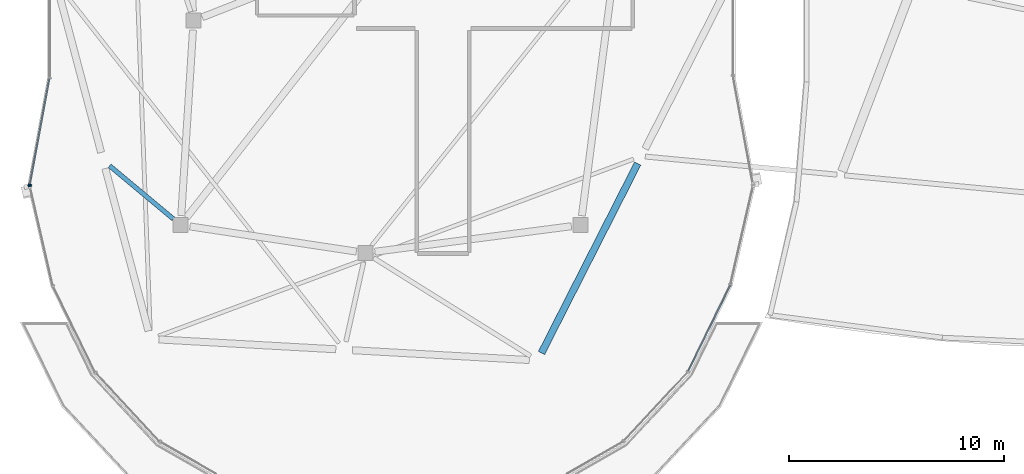
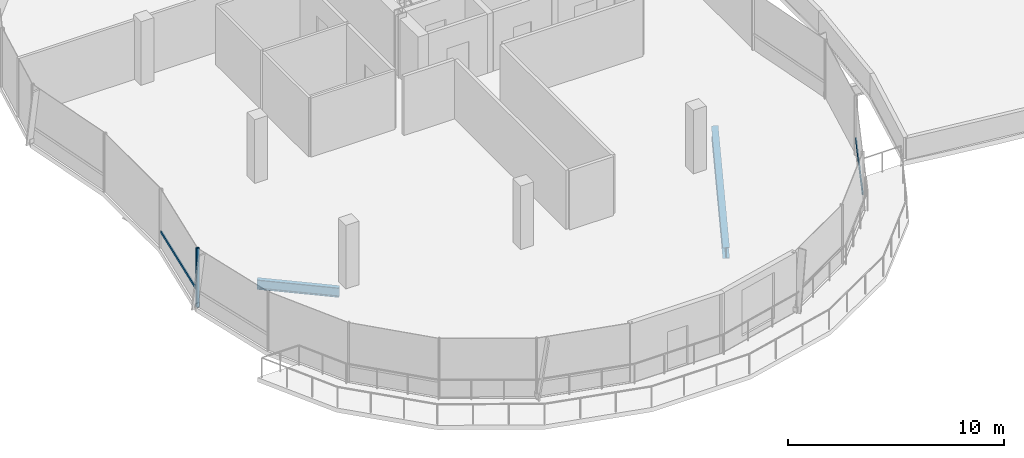
# One storey, part 3 of 31: 4 members, 2 beams, 3 elements without a shape of their own.
"""IFC4 building model written with IfcOpenShell, lengths in metres."""

from ifc_helpers import new_model, si_unit, direction, frame, origin, origin_2d, place, context, subcontext, project, spatial, rectangle, i_section, extrude, material, material_profile, profile_set, type_object, element, aggregate, save


model = new_model("IFC4")

# Units and contexts
model_context = context("Model", 3, precision=1e-05, world=origin(), true_north=direction((0.0, 1.0)))
body_context = subcontext(model_context, "Body", "Model", "MODEL_VIEW")
ifc_project = project(units=[si_unit("LENGTHUNIT", "METRE"), si_unit("AREAUNIT", "SQUARE_METRE"), si_unit("VOLUMEUNIT", "CUBIC_METRE"), si_unit("PLANEANGLEUNIT", "RADIAN"), si_unit("MASSUNIT", "GRAM", prefix="KILO"), si_unit("THERMODYNAMICTEMPERATUREUNIT", "KELVIN"), si_unit("POWERUNIT", "WATT")], contexts=[model_context])

# Site, building, storey
site_placement = place(None, origin())
site = spatial("IfcSite", under=ifc_project, at=site_placement, CompositionType="ELEMENT")
building_placement = place(site_placement, origin())
building = spatial("IfcBuilding", under=site, at=building_placement, Name="Cundina Bronze Exchange", CompositionType="ELEMENT")
storey_placement = place(building_placement, frame((0.0, 0.0, 275.60009765625)))
storey = spatial("IfcBuildingStorey", under=building, at=storey_placement, Name="L73", CompositionType="ELEMENT", Elevation=275.60009765625)

# Beams
ifc_material_1 = material(Name="Steel ASTM A992 Grade 50", Category="steel")
ifc_material_profile_1 = material_profile(ifc_material_1, i_section(OverallWidth=0.2119140625, OverallDepth=0.5439453125, WebThickness=0.01318359375, FlangeThickness=0.021240234375, FilletRadius=0.013916015625, at=origin_2d()), Name="W21X83", Category="steel")
ifc_profile_set_1 = profile_set([ifc_material_profile_1], Name="Steel ASTM A992 Grade 50")
beam_type_1 = type_object("IfcBeamType", Name="BM-FLR-W21A", PredefinedType="BEAM", material=ifc_profile_set_1)
beam_1_placement = place(storey_placement, frame((-42.136474609375, -9.219482421875, -0.531982421875), z_axis=(-0.768210910963, 0.640196841821, 0.0), x_axis=(-0.640196841821, -0.768210910963, 0.0)))
element("IfcBeam", 1, at=beam_1_placement, inside=storey, type_object=beam_type_1, Name="L73 Leg W Radial Floor Beam 09", PredefinedType="BEAM", context=body_context, shape_type="SweptSolid", body=[
    extrude(i_section(OverallWidth=0.2119140625, OverallDepth=0.5439453125, WebThickness=0.01318359375, FlangeThickness=0.021240234375, FilletRadius=0.013916015625, at=origin_2d()), origin(), (0.0, 0.0, 1.0), 3.860107421875),
])
ifc_material_profile_2 = material_profile(ifc_material_1, i_section(OverallWidth=0.324951171875, OverallDepth=0.615966796875, WebThickness=0.013916015625, FlangeThickness=0.021484375, FilletRadius=0.01611328125, at=origin_2d()), Name="W24X117", Category="steel")
ifc_profile_set_2 = profile_set([ifc_material_profile_2], Name="Steel ASTM A992 Grade 50")
beam_type_2 = type_object("IfcBeamType", Name="BM-RING-W24", PredefinedType="USERDEFINED", material=ifc_profile_set_2)
beam_2_placement = place(storey_placement, frame((-25.0244140625, -15.4541015625, -0.568115234375), z_axis=(0.452839263805, 0.891592171991, 0.0), x_axis=(-0.891592171991, 0.452839263805, 0.0)))
element("IfcBeam", 2, at=beam_2_placement, inside=storey, type_object=beam_type_2, Name="L73 W Perimeter Ring Girder 12", ObjectType="GIRDER", PredefinedType="USERDEFINED", context=body_context, shape_type="SweptSolid", body=[
    extrude(i_section(OverallWidth=0.324951171875, OverallDepth=0.615966796875, WebThickness=0.013916015625, FlangeThickness=0.021484375, FilletRadius=0.01611328125, at=origin_2d()), origin(), (0.0, 0.0, 1.0), 9.879150390625),
])

# Curtain wall, member
ifc_material_2 = material(Name="Anodised Bronze Aluminium 6063-T6", Category="aluminium")
curtain_wall_type = type_object("IfcCurtainWallType", Name="CWS-CRN-TMD", PredefinedType="NOTDEFINED", material=ifc_material_2)
curtain_wall_1_placement = place(storey_placement, origin())
curtain_wall_1 = element("IfcCurtainWall", 3, at=curtain_wall_1_placement, inside=storey, type_object=curtain_wall_type, Name="L73 CW-07 Curtain Wall Run CWR-L73-W2", PredefinedType="NOTDEFINED")
ifc_material_profile_3 = material_profile(ifc_material_2, rectangle(XDim=0.06494140625, YDim=0.159912109375, at=origin_2d()), Name="AL65X160", Category="aluminium")
ifc_profile_set_3 = profile_set([ifc_material_profile_3], Name="Anodised Bronze Aluminium 6063-T6")
member_type_1 = type_object("IfcMemberType", Name="CWM-MUL-160", PredefinedType="MULLION", material=ifc_profile_set_3)
member_1_placement = place(storey_placement, frame((-48.8154296875, -7.635498046875, 0.0), z_axis=(0.0, 0.0, 1.0), x_axis=(-0.181549039717, -0.983381892338, 0.0)))
member_1 = element("IfcMember", 4, at=member_1_placement, type_object=member_type_1, Name="CW-07 End Mullion", PredefinedType="MULLION", context=body_context, shape_type="SweptSolid", body=[
    extrude(rectangle(XDim=0.06494140625, YDim=0.159912109375, at=origin_2d()), origin(), (0.0, 0.0, 1.0), 3.33984375),
])

curtain_wall_2_placement = place(storey_placement, origin())
curtain_wall_2 = element("IfcCurtainWall", 5, at=curtain_wall_2_placement, inside=storey, type_object=curtain_wall_type, Name="L73 CW-07 Curtain Wall Run CWR-L73-W3", PredefinedType="NOTDEFINED")
member_2_placement = place(storey_placement, frame((-48.814208984375, -7.683837890625, 0.0), z_axis=(0.0, 0.0, 1.0), x_axis=(0.223930573241, -0.974605098677, 0.0)))
member_2 = element("IfcMember", 6, at=member_2_placement, type_object=member_type_1, Name="CW-07 Mullion 1", PredefinedType="MULLION", context=body_context, shape_type="SweptSolid", body=[
    extrude(rectangle(XDim=0.06494140625, YDim=0.159912109375, at=origin_2d()), origin(), (0.0, 0.0, 1.0), 3.33984375),
])
aggregate(curtain_wall_2, [member_2])

# Member
ifc_material_profile_4 = material_profile(ifc_material_2, rectangle(XDim=0.06494140625, YDim=0.14990234375, at=origin_2d()), Name="AL65X150", Category="aluminium")
ifc_profile_set_4 = profile_set([ifc_material_profile_4], Name="Anodised Bronze Aluminium 6063-T6")
member_type_2 = type_object("IfcMemberType", Name="CWM-TRN-150", PredefinedType="USERDEFINED", material=ifc_profile_set_4)
member_3_placement = place(storey_placement, frame((-47.9033203125, -2.696044921875, 0.919921875), z_axis=(-0.181568600353, -0.98337828091, 0.0), x_axis=(0.98337828091, -0.181568600353, 0.0)))
member_3 = element("IfcMember", 7, at=member_3_placement, type_object=member_type_2, Name="CW-07 Spandrel Transom 7", ObjectType="TRANSOM", PredefinedType="USERDEFINED", context=body_context, shape_type="SweptSolid", body=[
    extrude(rectangle(XDim=0.06494140625, YDim=0.14990234375, at=origin_2d()), origin(), (0.0, 0.0, 1.0), 4.9873046875),
])

aggregate(curtain_wall_1, [member_1, member_3])

# Curtain wall, member
curtain_wall_3_placement = place(storey_placement, origin())
curtain_wall_3 = element("IfcCurtainWall", 8, at=curtain_wall_3_placement, inside=storey, type_object=curtain_wall_type, Name="L73 CW-07 Curtain Wall Run CWR-L73-W4", PredefinedType="NOTDEFINED")
member_4_placement = place(storey_placement, frame((-18.195068359375, -16.2880859375, 0.919921875), z_axis=(0.439416660299, 0.898283362114, 0.0), x_axis=(-0.898283362114, 0.439416660299, 0.0)))
member_4 = element("IfcMember", 9, at=member_4_placement, type_object=member_type_2, Name="CW-07 Spandrel Transom 3", ObjectType="TRANSOM", PredefinedType="USERDEFINED", context=body_context, shape_type="SweptSolid", body=[
    extrude(rectangle(XDim=0.06494140625, YDim=0.14990234375, at=origin_2d()), origin(), (0.0, 0.0, 1.0), 4.430908203125),
])
aggregate(curtain_wall_3, [member_4])

save(model, "model.ifc")
